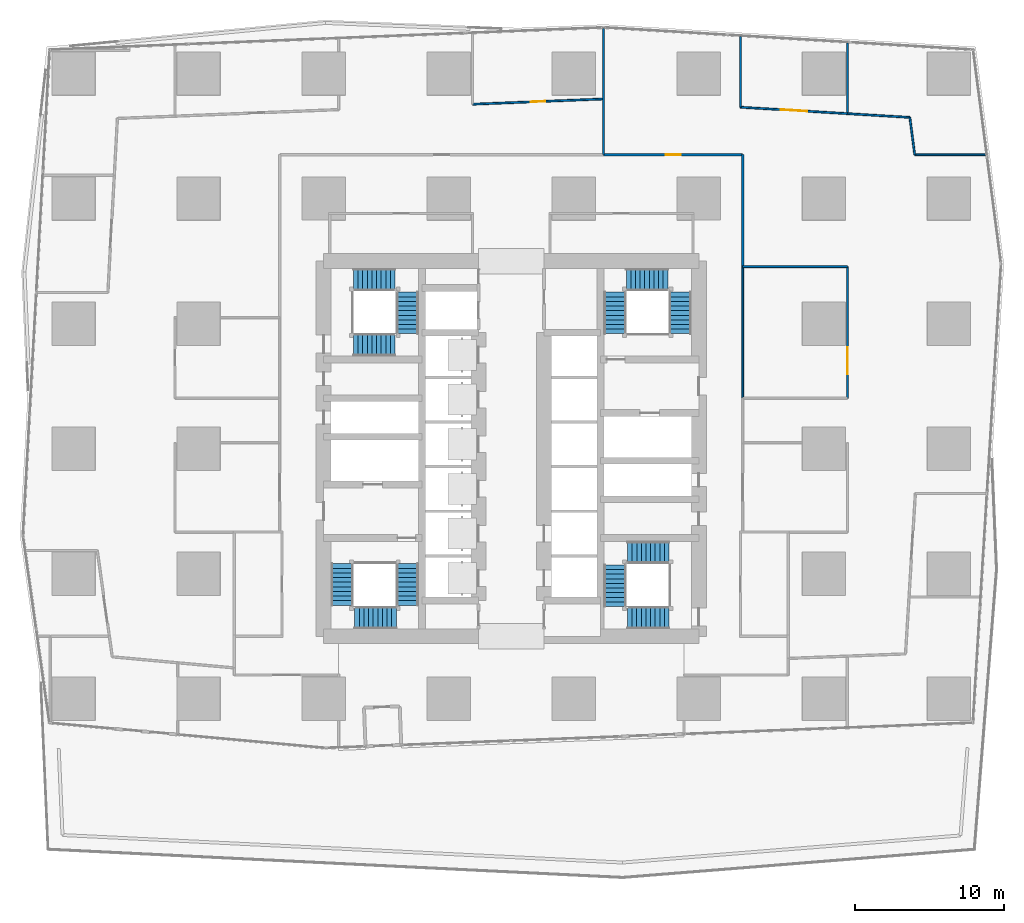
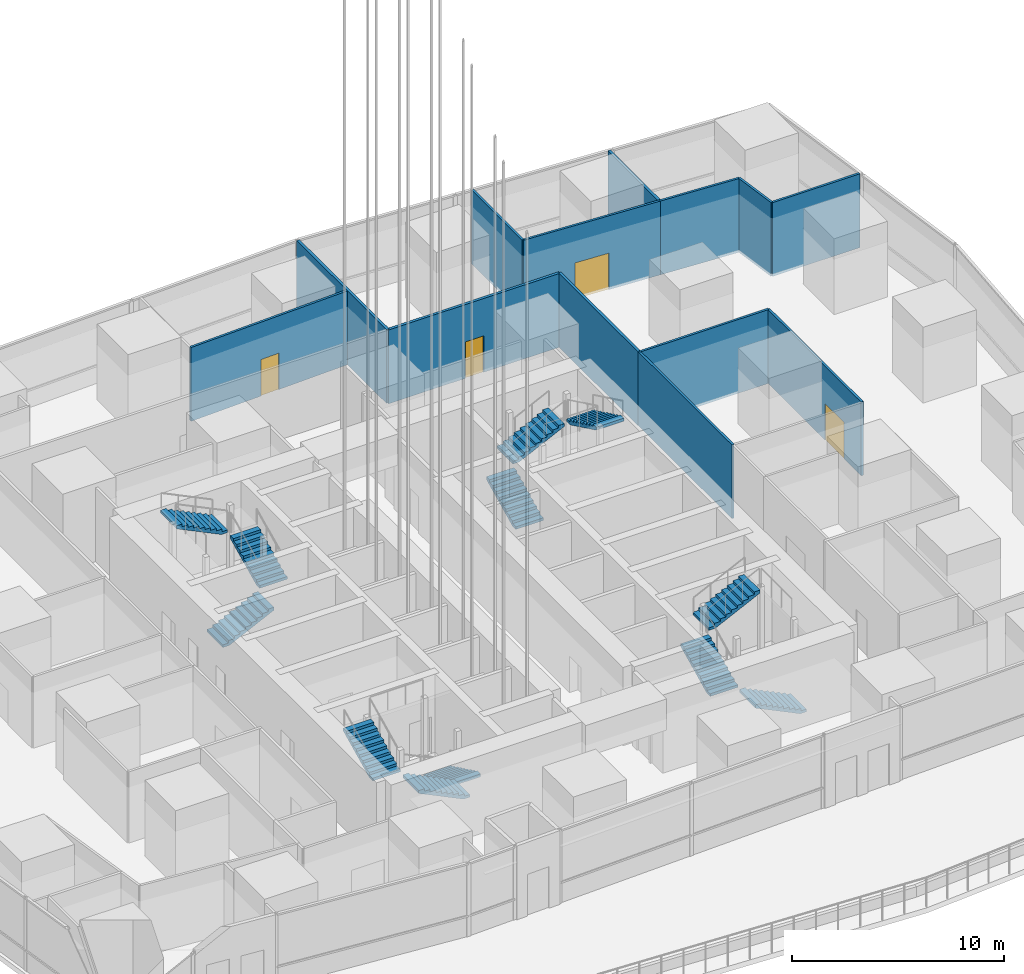
# One storey, part 22 of 44: 13 walls, 12 stair flights, 4 doors, 4 openings, 4 elements without a shape of their own.
"""IFC4 building model written with IfcOpenShell, lengths in metres."""

import ifcopenshell
import ifcopenshell.guid

model = None  # the IFC model being written
_history = None  # IfcOwnerHistory: only IFC2X3 demands one
_inside = {}  # id of a spatial element -> (the spatial element, [elements in it])
_under = {}  # id of a project, library or spatial element -> (it, [spatial elements below it])
_declared = {}  # id of a project -> (the project, [libraries it declares])
_typed = {}  # id of a type object -> (the type object, [elements of that type])
_made_of = {}  # id of a material, layer set ... -> (it, [elements and type objects made of it])


def new_model(schema):
    """Start an empty IFC model of exactly this schema.

    Asked for "IFC4X3", IfcOpenShell would pick the latest addendum, in which some entities
    have other attributes; the version numbers below select the first issue.
    IFC2X3 requires an IfcOwnerHistory on every rooted entity: one is made here for all.
    """
    global model, _history
    if schema == "IFC4X3":
        model = ifcopenshell.file(schema_version=(4, 3, 0, 0))
    else:
        model = ifcopenshell.file(schema=schema)
    _inside.clear()
    _under.clear()
    _declared.clear()
    _typed.clear()
    _made_of.clear()
    _history = None
    if model.schema == "IFC2X3":
        org = make("IfcOrganization", Name="unknown")
        user = make(
            "IfcPersonAndOrganization",
            ThePerson=make("IfcPerson", FamilyName="unknown"),
            TheOrganization=org,
        )
        app = make(
            "IfcApplication",
            ApplicationDeveloper=org,
            Version="unknown",
            ApplicationFullName="unknown",
            ApplicationIdentifier="unknown",
        )
        _history = make(
            "IfcOwnerHistory",
            OwningUser=user,
            OwningApplication=app,
            ChangeAction="ADDED",
            CreationDate=0,
        )
    return model


def make(cls, **values):
    """One entity of the class cls with the attributes given. An attribute that is None is left unset."""
    return model.create_entity(
        cls, **{name: value for name, value in values.items() if value is not None}
    )


def rooted(cls, **values):
    """An entity with a GlobalId (a new one), such as an element, a storey or a relation."""
    return make(cls, GlobalId=ifcopenshell.guid.new(), OwnerHistory=_history, **values)


def si_unit(unit_type, name, prefix=None):
    """IfcSIUnit, for example si_unit("LENGTHUNIT", "METRE", prefix="MILLI")."""
    return make("IfcSIUnit", UnitType=unit_type, Prefix=prefix, Name=name)


def assignment(units):
    """IfcUnitAssignment: the units of a project."""
    return None if units is None else make("IfcUnitAssignment", Units=units)


def point(xyz):
    """IfcCartesianPoint."""
    return None if xyz is None else make("IfcCartesianPoint", Coordinates=xyz)


def direction(xyz):
    """IfcDirection."""
    return None if xyz is None else make("IfcDirection", DirectionRatios=xyz)


def frame(location, z_axis=None, x_axis=None):
    """IfcAxis2Placement3D, a coordinate frame: its origin and axes. An axis left out is left unset."""
    return make(
        "IfcAxis2Placement3D",
        Location=point(location),
        Axis=direction(z_axis),
        RefDirection=direction(x_axis),
    )


def frame_2d(location, x_axis=None):
    """IfcAxis2Placement2D, a coordinate frame in the plane: its origin and x axis."""
    return make(
        "IfcAxis2Placement2D", Location=point(location), RefDirection=direction(x_axis)
    )


def origin():
    """The frame at (0, 0, 0) with its axes left unset."""
    return frame((0.0, 0.0, 0.0))


def place(relative_to, where):
    """IfcLocalPlacement: puts the frame where relative to a parent placement (None: the world)."""
    return make(
        "IfcLocalPlacement", PlacementRelTo=relative_to, RelativePlacement=where
    )


def context(
    kind, dimensions, precision=None, world=None, true_north=None, identifier=None
):
    """IfcGeometricRepresentationContext, for example the 3D "Model" context."""
    return make(
        "IfcGeometricRepresentationContext",
        ContextIdentifier=identifier,
        ContextType=kind,
        CoordinateSpaceDimension=dimensions,
        Precision=precision,
        WorldCoordinateSystem=world,
        TrueNorth=true_north,
    )


def subcontext(parent, identifier, kind, view, scale=None):
    """IfcGeometricRepresentationSubContext, for example "Body" below "Model"."""
    return make(
        "IfcGeometricRepresentationSubContext",
        ContextIdentifier=identifier,
        ContextType=kind,
        ParentContext=parent,
        TargetScale=scale,
        TargetView=view,
    )


def project(units=None, contexts=None):
    """IfcProject with its units and contexts."""
    return rooted(
        "IfcProject",
        Name="project",
        RepresentationContexts=contexts,
        UnitsInContext=assignment(units),
    )


def spatial(cls, under=None, at=None, **own):
    """A site, building, storey or space (cls), placed at a placement, below another one or the project."""
    s = rooted(cls, ObjectPlacement=at, **own)
    if under is not None:
        _under.setdefault(under.id(), (under, []))[1].append(s)
    return s


def polyline(points):
    """IfcPolyline through the points."""
    return make("IfcPolyline", Points=[point(p) for p in points])


def profile(cls, at=None, kind="AREA", **sizes):
    """A parametric profile (cls). Its sizes go by their IFC names, for example OverallWidth=200.0."""
    return make(cls, ProfileType=kind, Position=at, **sizes)


def rectangle(**sizes):
    """IfcRectangleProfileDef."""
    return profile("IfcRectangleProfileDef", **sizes)


def outline(outer, holes=None, kind="AREA"):
    """IfcArbitraryClosedProfileDef: a profile drawn as a closed curve; with holes, ...WithVoids."""
    if holes is None:
        return make("IfcArbitraryClosedProfileDef", ProfileType=kind, OuterCurve=outer)
    return make(
        "IfcArbitraryProfileDefWithVoids",
        ProfileType=kind,
        OuterCurve=outer,
        InnerCurves=holes,
    )


def extrude(swept, where, along, depth):
    """IfcExtrudedAreaSolid: the profile swept, set in the frame where, extruded along a direction by depth."""
    return make(
        "IfcExtrudedAreaSolid",
        SweptArea=swept,
        Position=where,
        ExtrudedDirection=direction(along),
        Depth=depth,
    )


def shape(context_of_items, identifier, shape_type, items):
    """IfcShapeRepresentation: the items that make up one representation, for example the "Body"."""
    return make(
        "IfcShapeRepresentation",
        ContextOfItems=context_of_items,
        RepresentationIdentifier=identifier,
        RepresentationType=shape_type,
        Items=items,
    )


def material(Name=None, Category=None):
    """IfcMaterial."""
    return make("IfcMaterial", Name=Name, Category=Category)


def layer(
    of_material, thickness, ventilated=None, Name=None, Category=None, Priority=None
):
    """IfcMaterialLayer: one layer of a wall or slab, of a material (None: an air gap)."""
    return make(
        "IfcMaterialLayer",
        Material=of_material,
        LayerThickness=thickness,
        IsVentilated=ventilated,
        Name=Name,
        Category=Category,
        Priority=Priority,
    )


def layer_set(layers, Name=None):
    """IfcMaterialLayerSet."""
    return make("IfcMaterialLayerSet", MaterialLayers=layers, LayerSetName=Name)


def made_of(thing, what):
    """Note that an element or type object is made of a material, layer set ...; save() writes the relation."""
    if what is not None:
        _made_of.setdefault(what.id(), (what, []))[1].append(thing)
    return thing


def type_object(cls, material=None, **own):
    """A type object (cls), such as IfcWallType, which elements share."""
    return made_of(rooted(cls, **own), material)


def element(
    cls,
    number,
    at=None,
    inside=None,
    cuts=None,
    type_object=None,
    material=None,
    context=None,
    identifier="Body",
    shape_type=None,
    held_by="IfcProductDefinitionShape",
    body=None,
    shapes=None,
    **own,
):
    """One element of the class cls, such as IfcWall. Its Tag is "e" and its number.

    at: its placement. inside: the storey or other place that contains it. cuts: it is an
    opening in that element (IfcRelVoidsElement). A single representation is given by context,
    identifier, shape_type and body (its items); several are given by shapes. held_by: the class
    of the entity that holds the representations. save() writes the other relations.
    """
    e = rooted(cls, Tag="e%d" % number, ObjectPlacement=at, **own)
    if body is not None:
        shapes = [shape(context, identifier, shape_type, body)]
    if shapes is not None:
        e.Representation = make(held_by, Representations=shapes)
    if inside is not None:
        _inside.setdefault(inside.id(), (inside, []))[1].append(e)
    if cuts is not None:
        rooted(
            "IfcRelVoidsElement", RelatingBuildingElement=cuts, RelatedOpeningElement=e
        )
    if type_object is not None:
        _typed.setdefault(type_object.id(), (type_object, []))[1].append(e)
    return made_of(e, material)


def fill(opening, filler):
    """IfcRelFillsElement: the door or window that sits in an opening."""
    return rooted(
        "IfcRelFillsElement",
        RelatingOpeningElement=opening,
        RelatedBuildingElement=filler,
    )


def aggregate(whole, parts):
    """IfcRelAggregates: a whole, such as a stair, and the parts it consists of."""
    return rooted("IfcRelAggregates", RelatingObject=whole, RelatedObjects=parts)


def save(model, path):
    """Write the relations noted so far, then the file.

    IfcRelAggregates (storeys below a building ...), IfcRelContainedInSpatialStructure (elements
    in a storey), IfcRelDefinesByType, IfcRelAssociatesMaterial and IfcRelDeclares: one each for
    every whole, place, type object, material and project.
    """
    for whole, parts in _under.values():
        aggregate(whole, parts)
    for where, things in _inside.values():
        rooted(
            "IfcRelContainedInSpatialStructure",
            RelatedElements=things,
            RelatingStructure=where,
        )
    for kind, things in _typed.values():
        rooted("IfcRelDefinesByType", RelatedObjects=things, RelatingType=kind)
    for what, things in _made_of.values():
        rooted("IfcRelAssociatesMaterial", RelatedObjects=things, RelatingMaterial=what)
    for by, libraries in _declared.values():
        rooted("IfcRelDeclares", RelatingContext=by, RelatedDefinitions=libraries)
    model.write(path)


model = new_model("IFC4")

# Units and contexts
model_context = context("Model", 3, precision=1e-05, world=origin(), true_north=direction((0.0, 1.0)))
body_context = subcontext(model_context, "Body", "Model", "MODEL_VIEW")
ifc_project = project(units=[si_unit("LENGTHUNIT", "METRE"), si_unit("AREAUNIT", "SQUARE_METRE"), si_unit("VOLUMEUNIT", "CUBIC_METRE"), si_unit("PLANEANGLEUNIT", "RADIAN"), si_unit("MASSUNIT", "GRAM", prefix="KILO")], contexts=[model_context])

# Site, building, storey
site_placement = place(None, origin())
site = spatial("IfcSite", under=ifc_project, at=site_placement, CompositionType="ELEMENT")
building_placement = place(site_placement, origin())
building = spatial("IfcBuilding", under=site, at=building_placement, Name="Rekha Terrace Tower", CompositionType="ELEMENT")
storey_placement = place(building_placement, frame((0.0, 0.0, 90.800048828125)))
storey = spatial("IfcBuildingStorey", under=building, at=storey_placement, Name="L22", CompositionType="ELEMENT", Elevation=90.800048828125)

# Wall
ifc_material_1 = material(Name="Concrete block masonry, 1 hour", Category="masonry")
ifc_layer_1 = layer(ifc_material_1, 0.14990234375)
ifc_layer_set_1 = layer_set([ifc_layer_1], Name="Concrete block masonry, 1 hour")
wall_type_1 = type_object("IfcWallType", Name="WP2 150 tenancy partition", PredefinedType="PARTITIONING", material=ifc_layer_set_1)
wall_1_placement = place(storey_placement, frame((53.35009765625, 45.8359375, 0.0), z_axis=(0.0, 0.0, 1.0), x_axis=(0.0, 1.0, 0.0)))
element("IfcWall", 1, at=wall_1_placement, inside=storey, type_object=wall_type_1, Name="Partition L22-O1", PredefinedType="PARTITIONING", context=body_context, shape_type="SweptSolid", body=[
    extrude(rectangle(XDim=7.51416015625, YDim=0.14990234375, at=frame_2d((3.757080078125, 0.0))), origin(), (0.0, 0.0, 1.0), 4.25),
])

# Wall, opening, door
wall_2_placement = place(storey_placement, frame((53.35009765625, 53.35009765625, 0.0), z_axis=(0.0, 0.0, 1.0), x_axis=(-1.0, 0.0, 0.0)))
wall_2 = element("IfcWall", 2, at=wall_2_placement, inside=storey, type_object=wall_type_1, Name="Partition L22-O1", PredefinedType="PARTITIONING", context=body_context, shape_type="SweptSolid", body=[
    extrude(rectangle(XDim=9.356201171875, YDim=0.14990234375, at=frame_2d((4.67822265625, 0.0))), origin(), (0.0, 0.0, 1.0), 4.25),
])
opening_1_placement = place(wall_2_placement, frame((4.177978515625, 0.0, 0.0)))
opening_1 = element("IfcOpeningElement", 3, at=opening_1_placement, cuts=wall_2, Name="Opening D9", PredefinedType="OPENING", context=body_context, shape_type="SweptSolid", body=[
    extrude(rectangle(XDim=1.0, YDim=2.10009765625, at=frame_2d((0.5, 1.050048828125))), frame((0.0, 0.0849609375, 0.0), z_axis=(0.0, -1.0, 0.0), x_axis=(1.0, 0.0, 0.0)), (0.0, 0.0, 1.0), 0.169921875),
])
ifc_material_2 = material(Name="Timber fire door", Category="wood")
door_type_1 = type_object("IfcDoorType", Name="D9 1000x2100 office door", OperationType="SINGLE_SWING_LEFT", PredefinedType="DOOR", material=ifc_material_2)
door_1_placement = place(opening_1_placement, origin())
door_1 = element("IfcDoor", 4, at=door_1_placement, inside=storey, type_object=door_type_1, Name="Door open-plan office L22", OperationType="SINGLE_SWING_LEFT", OverallHeight=2.10009765625, OverallWidth=1.0, PredefinedType="DOOR", context=body_context, shape_type="SweptSolid", body=[
    extrude(rectangle(XDim=1.0, YDim=2.10009765625, at=frame_2d((0.5, 1.050048828125))), frame((0.0, 0.02490234375, 0.0), z_axis=(0.0, -1.0, 0.0), x_axis=(1.0, 0.0, 0.0)), (0.0, 0.0, 1.0), 0.050048828125),
])
fill(opening_1, door_1)

# Walls
wall_3_placement = place(storey_placement, frame((43.993896484375, 53.35009765625, 0.0), z_axis=(0.0, 0.0, 1.0), x_axis=(0.0, 1.0, 0.0)))
element("IfcWall", 5, at=wall_3_placement, inside=storey, type_object=wall_type_1, Name="Partition L22-O1", PredefinedType="PARTITIONING", context=body_context, shape_type="SweptSolid", body=[
    extrude(rectangle(XDim=8.468017578125, YDim=0.14990234375, at=frame_2d((4.23388671875, 0.0))), origin(), (0.0, 0.0, 1.0), 4.25),
])
wall_4_placement = place(storey_placement, frame((60.385009765625, 56.172119140625, 0.0), z_axis=(0.0, 0.0, 1.0), x_axis=(0.0, 1.0, 0.0)))
element("IfcWall", 6, at=wall_4_placement, inside=storey, type_object=wall_type_1, Name="Partition L22-O1", PredefinedType="PARTITIONING", context=body_context, shape_type="SweptSolid", body=[
    extrude(rectangle(XDim=4.69482421875, YDim=0.14990234375, at=frame_2d((2.347412109375, 0.0))), origin(), (0.0, 0.0, 1.0), 4.25),
])
ifc_material_3 = material(Name="Two layers of fire-rated gypsum board each side on steel studs, acoustic quilt, 1 hour", Category="steel")
ifc_layer_2 = layer(ifc_material_3, 0.125)
ifc_layer_set_2 = layer_set([ifc_layer_2], Name="Two layers of fire-rated gypsum board each side on steel studs, acoustic quilt, 1 hour")
wall_type_2 = type_object("IfcWallType", Name="WP3 125 office partition", PredefinedType="PARTITIONING", material=ifc_layer_set_2)
wall_5_placement = place(storey_placement, frame((69.662109375, 53.347900390625, 0.0), z_axis=(0.0, 0.0, 1.0), x_axis=(-1.0, 0.0, 0.0)))
element("IfcWall", 7, at=wall_5_placement, inside=storey, type_object=wall_type_2, Name="Partition L22-06", PredefinedType="PARTITIONING", context=body_context, shape_type="SweptSolid", body=[
    extrude(rectangle(XDim=4.760009765625, YDim=0.125, at=frame_2d((2.3798828125, 0.0))), origin(), (0.0, 0.0, 1.0), 4.25),
])
wall_6_placement = place(storey_placement, frame((64.902099609375, 53.347900390625, 0.0), z_axis=(0.0, 0.0, 1.0), x_axis=(-0.129293809503, 0.991606328552, 0.0)))
element("IfcWall", 8, at=wall_6_placement, inside=storey, type_object=wall_type_2, Name="Partition L22-06", PredefinedType="PARTITIONING", context=body_context, shape_type="SweptSolid", body=[
    extrude(rectangle(XDim=2.5302734375, YDim=0.125, at=frame_2d((1.26513671875, 0.0))), origin(), (0.0, 0.0, 1.0), 4.25),
])
wall_7_placement = place(storey_placement, frame((64.574951171875, 55.85693359375, 0.0), z_axis=(0.0, 0.0, 1.0), x_axis=(-0.998196070011, 0.060038369522, 0.0)))
element("IfcWall", 9, at=wall_7_placement, inside=storey, type_object=wall_type_2, Name="Partition L22-06", PredefinedType="PARTITIONING", context=body_context, shape_type="SweptSolid", body=[
    extrude(rectangle(XDim=4.196533203125, YDim=0.125, at=frame_2d((2.09814453125, 0.0))), origin(), (0.0, 0.0, 1.0), 4.25),
])

# Wall, opening, door
wall_8_placement = place(storey_placement, frame((60.385986328125, 56.10888671875, 0.0), z_axis=(0.0, 0.0, 1.0), x_axis=(-0.998198273085, 0.06000173006, 0.0)))
wall_8 = element("IfcWall", 10, at=wall_8_placement, inside=storey, type_object=wall_type_2, Name="Partition L22-06", PredefinedType="PARTITIONING", context=body_context, shape_type="SweptSolid", body=[
    extrude(rectangle(XDim=7.201904296875, YDim=0.125, at=frame_2d((3.60107421875, 0.0))), origin(), (0.0, 0.0, 1.0), 4.25),
])
opening_2_placement = place(wall_8_placement, frame((2.700927734375, 0.0, 0.0)))
opening_2 = element("IfcOpeningElement", 11, at=opening_2_placement, cuts=wall_8, Name="Opening D8", PredefinedType="OPENING", context=body_context, shape_type="SweptSolid", body=[
    extrude(rectangle(XDim=1.800048828125, YDim=2.10009765625, at=frame_2d((0.89990234375, 1.050048828125))), frame((0.0, 0.072509765625, 0.0), z_axis=(0.0, -1.0, 0.0), x_axis=(1.0, 0.0, 0.0)), (0.0, 0.0, 1.0), 0.14501953125),
])
door_type_2 = type_object("IfcDoorType", Name="D8 1800x2100 double leaf door", OperationType="DOUBLE_DOOR_SINGLE_SWING", PredefinedType="DOOR", material=ifc_material_2)
door_2_placement = place(opening_2_placement, origin())
door_2 = element("IfcDoor", 12, at=door_2_placement, inside=storey, type_object=door_type_2, Name="Door business lounge L22", OperationType="DOUBLE_DOOR_SINGLE_SWING", OverallHeight=2.10009765625, OverallWidth=1.800048828125, PredefinedType="DOOR", context=body_context, shape_type="SweptSolid", body=[
    extrude(rectangle(XDim=1.800048828125, YDim=2.10009765625, at=frame_2d((0.89990234375, 1.050048828125))), frame((0.0, 0.02490234375, 0.0), z_axis=(0.0, -1.0, 0.0), x_axis=(1.0, 0.0, 0.0)), (0.0, 0.0, 1.0), 0.050048828125),
])
fill(opening_2, door_2)

# Wall
wall_9_placement = place(storey_placement, frame((53.197021484375, 56.541015625, 0.0), z_axis=(0.0, 0.0, 1.0), x_axis=(0.0, 1.0, 0.0)))
element("IfcWall", 13, at=wall_9_placement, inside=storey, type_object=wall_type_2, Name="Partition L22-06", PredefinedType="PARTITIONING", context=body_context, shape_type="SweptSolid", body=[
    extrude(rectangle(XDim=4.758056640625, YDim=0.125, at=frame_2d((2.37890625, 0.0))), origin(), (0.0, 0.0, 1.0), 4.25),
])

# Wall, opening, door
wall_10_placement = place(storey_placement, frame((60.385986328125, 45.8359375, 0.0), z_axis=(0.0, 0.0, 1.0), x_axis=(0.0, -1.0, 0.0)))
wall_10 = element("IfcWall", 14, at=wall_10_placement, inside=storey, type_object=wall_type_2, Name="Partition L22-09", PredefinedType="PARTITIONING", context=body_context, shape_type="SweptSolid", body=[
    extrude(rectangle(XDim=8.8359375, YDim=0.125, at=frame_2d((4.41796875, 0.0))), origin(), (0.0, 0.0, 1.0), 4.25),
])
opening_3_placement = place(wall_10_placement, frame((5.41796875, 0.0, 0.0)))
opening_3 = element("IfcOpeningElement", 15, at=opening_3_placement, cuts=wall_10, Name="Opening D8", PredefinedType="OPENING", context=body_context, shape_type="SweptSolid", body=[
    extrude(rectangle(XDim=1.800048828125, YDim=2.10009765625, at=frame_2d((0.89990234375, 1.050048828125))), frame((0.0, 0.072509765625, 0.0), z_axis=(0.0, -1.0, 0.0), x_axis=(1.0, 0.0, 0.0)), (0.0, 0.0, 1.0), 0.14501953125),
])
door_3_placement = place(opening_3_placement, origin())
door_3 = element("IfcDoor", 16, at=door_3_placement, inside=storey, type_object=door_type_2, Name="Door breakout lounge L22", OperationType="DOUBLE_DOOR_SINGLE_SWING", OverallHeight=2.10009765625, OverallWidth=1.800048828125, PredefinedType="DOOR", context=body_context, shape_type="SweptSolid", body=[
    extrude(rectangle(XDim=1.800048828125, YDim=2.10009765625, at=frame_2d((0.89990234375, 1.050048828125))), frame((0.0, 0.02490234375, 0.0), z_axis=(0.0, -1.0, 0.0), x_axis=(1.0, 0.0, 0.0)), (0.0, 0.0, 1.0), 0.050048828125),
])
fill(opening_3, door_3)

# Walls
wall_11_placement = place(storey_placement, frame((53.35009765625, 37.0, 0.0), z_axis=(0.0, 0.0, 1.0), x_axis=(0.0, 1.0, 0.0)))
element("IfcWall", 17, at=wall_11_placement, inside=storey, type_object=wall_type_2, Name="Partition L22-09", PredefinedType="PARTITIONING", context=body_context, shape_type="SweptSolid", body=[
    extrude(rectangle(XDim=8.8359375, YDim=0.125, at=frame_2d((4.41796875, 0.0))), origin(), (0.0, 0.0, 1.0), 4.25),
])
wall_12_placement = place(storey_placement, frame((53.35009765625, 45.8359375, 0.0), z_axis=(0.0, 0.0, 1.0), x_axis=(1.0, 0.0, 0.0)))
element("IfcWall", 18, at=wall_12_placement, inside=storey, type_object=wall_type_2, Name="Partition L22-09", PredefinedType="PARTITIONING", context=body_context, shape_type="SweptSolid", body=[
    extrude(rectangle(XDim=7.035888671875, YDim=0.125, at=frame_2d((3.51806640625, 0.0))), origin(), (0.0, 0.0, 1.0), 4.25),
])

# Wall, opening, door
wall_13_placement = place(storey_placement, frame((43.9189453125, 57.091064453125, 0.0), z_axis=(0.0, 0.0, 1.0), x_axis=(-0.99919930418, -0.040009380477, 0.0)))
wall_13 = element("IfcWall", 19, at=wall_13_placement, inside=storey, type_object=wall_type_2, Name="Partition L22-10", PredefinedType="PARTITIONING", context=body_context, shape_type="SweptSolid", body=[
    extrude(rectangle(XDim=8.72607421875, YDim=0.125, at=frame_2d((4.363037109375, 0.0))), origin(), (0.0, 0.0, 1.0), 4.25),
])
opening_4_placement = place(wall_13_placement, frame((3.825927734375, 0.0, 0.0)))
opening_4 = element("IfcOpeningElement", 20, at=opening_4_placement, cuts=wall_13, Name="Opening D9", PredefinedType="OPENING", context=body_context, shape_type="SweptSolid", body=[
    extrude(rectangle(XDim=1.0, YDim=2.10009765625, at=frame_2d((0.5, 1.050048828125))), frame((0.0, 0.072509765625, 0.0), z_axis=(0.0, -1.0, 0.0), x_axis=(1.0, 0.0, 0.0)), (0.0, 0.0, 1.0), 0.14501953125),
])
door_4_placement = place(opening_4_placement, origin())
door_4 = element("IfcDoor", 21, at=door_4_placement, inside=storey, type_object=door_type_1, Name="Door office L22", OperationType="SINGLE_SWING_LEFT", OverallHeight=2.10009765625, OverallWidth=1.0, PredefinedType="DOOR", context=body_context, shape_type="SweptSolid", body=[
    extrude(rectangle(XDim=1.0, YDim=2.10009765625, at=frame_2d((0.5, 1.050048828125))), frame((0.0, 0.02490234375, 0.0), z_axis=(0.0, -1.0, 0.0), x_axis=(1.0, 0.0, 0.0)), (0.0, 0.0, 1.0), 0.050048828125),
])
fill(opening_4, door_4)

# Stair, stair flights
ifc_material_4 = material(Name="Concrete M40", Category="concrete")
stair_type = type_object("IfcStairType", Name="ST30 stair, 30 risers of 150, going 310, 1500 wide flights, 3 flights", PredefinedType="HALF_TURN_STAIR", material=ifc_material_4)
stair_1_placement = place(storey_placement, origin())
stair_1 = element("IfcStair", 22, at=stair_1_placement, inside=storey, type_object=stair_type, Name="Stair ST1 L22 to L23", PredefinedType="HALF_TURN_STAIR")
stair_flight_type = type_object("IfcStairFlightType", Name="SF10 stair flight, 10 risers of 150, going 310, 1500 wide", PredefinedType="STRAIGHT", material=ifc_material_4)
stair_flight_1_placement = place(storey_placement, frame((30.824951171875, 25.875, 0.0), z_axis=(0.0, 0.0, 1.0), x_axis=(0.0, -1.0, 0.0)))
stair_flight_1 = element("IfcStairFlight", 23, at=stair_flight_1_placement, type_object=stair_flight_type, Name="ST1 flight 1", NumberOfRisers=10, NumberOfTreads=9, PredefinedType="STRAIGHT", RiserHeight=0.15, TreadLength=0.31, context=body_context, shape_type="SweptSolid", body=[
    extrude(outline(polyline([(0.0, 0.0), (0.0, 0.14990234375), (0.31005859375, 0.14990234375), (0.31005859375, 0.300048828125), (0.6201171875, 0.300048828125), (0.6201171875, 0.449951171875), (0.929931640625, 0.449951171875), (0.929931640625, 0.60009765625), (1.239990234375, 0.60009765625), (1.239990234375, 0.75), (1.550048828125, 0.75), (1.550048828125, 0.89990234375), (1.860107421875, 0.89990234375), (1.860107421875, 1.050048828125), (2.169921875, 1.050048828125), (2.169921875, 1.199951171875), (2.47998046875, 1.199951171875), (2.47998046875, 1.35009765625), (2.7900390625, 1.35009765625), (2.7900390625, 1.5), (2.7900390625, 1.183349609375), (0.34423828125, 0.0), (0.0, 0.0)])), frame((0.0, 0.75, 0.0), z_axis=(0.0, -1.0, 0.0), x_axis=(1.0, 0.0, 0.0)), (0.0, 0.0, 1.0), 1.5),
])
stair_flight_2_placement = place(storey_placement, frame((30.074951171875, 22.25, 1.5), z_axis=(0.0, 0.0, 1.0), x_axis=(-1.0, 0.0, 0.0)))
stair_flight_2 = element("IfcStairFlight", 24, at=stair_flight_2_placement, type_object=stair_flight_type, Name="ST1 flight 2", NumberOfRisers=10, NumberOfTreads=9, PredefinedType="STRAIGHT", RiserHeight=0.15, TreadLength=0.31, context=body_context, shape_type="SweptSolid", body=[
    extrude(outline(polyline([(0.0, 0.0), (0.0, 0.14990234375), (0.31005859375, 0.14990234375), (0.31005859375, 0.300048828125), (0.6201171875, 0.300048828125), (0.6201171875, 0.449951171875), (0.929931640625, 0.449951171875), (0.929931640625, 0.60009765625), (1.239990234375, 0.60009765625), (1.239990234375, 0.75), (1.550048828125, 0.75), (1.550048828125, 0.89990234375), (1.860107421875, 0.89990234375), (1.860107421875, 1.050048828125), (2.169921875, 1.050048828125), (2.169921875, 1.199951171875), (2.47998046875, 1.199951171875), (2.47998046875, 1.35009765625), (2.7900390625, 1.35009765625), (2.7900390625, 1.5), (2.7900390625, 1.183349609375), (0.34423828125, 0.0), (0.0, 0.0)])), frame((0.0, 0.75, 0.0), z_axis=(0.0, -1.0, 0.0), x_axis=(1.0, 0.0, 0.0)), (0.0, 0.0, 1.0), 1.5),
])
stair_flight_3_placement = place(storey_placement, frame((26.449951171875, 23.0849609375, 3.0), z_axis=(0.0, 0.0, 1.0), x_axis=(0.0, 1.0, 0.0)))
stair_flight_3 = element("IfcStairFlight", 25, at=stair_flight_3_placement, type_object=stair_flight_type, Name="ST1 flight 3", NumberOfRisers=10, NumberOfTreads=9, PredefinedType="STRAIGHT", RiserHeight=0.15, TreadLength=0.31, context=body_context, shape_type="SweptSolid", body=[
    extrude(outline(polyline([(0.0, 0.0), (0.0, 0.14990234375), (0.31005859375, 0.14990234375), (0.31005859375, 0.300048828125), (0.6201171875, 0.300048828125), (0.6201171875, 0.449951171875), (0.929931640625, 0.449951171875), (0.929931640625, 0.60009765625), (1.239990234375, 0.60009765625), (1.239990234375, 0.75), (1.550048828125, 0.75), (1.550048828125, 0.89990234375), (1.860107421875, 0.89990234375), (1.860107421875, 1.050048828125), (2.169921875, 1.050048828125), (2.169921875, 1.199951171875), (2.47998046875, 1.199951171875), (2.47998046875, 1.35009765625), (2.7900390625, 1.35009765625), (2.7900390625, 1.5), (2.7900390625, 1.183349609375), (0.34423828125, 0.0), (0.0, 0.0)])), frame((0.0, 0.75, 0.0), z_axis=(0.0, -1.0, 0.0), x_axis=(1.0, 0.0, 0.0)), (0.0, 0.0, 1.0), 1.5),
])
aggregate(stair_1, [stair_flight_1, stair_flight_2, stair_flight_3])

stair_2_placement = place(storey_placement, origin())
stair_2 = element("IfcStair", 26, at=stair_2_placement, inside=storey, type_object=stair_type, Name="Stair ST2 L22 to L23", PredefinedType="HALF_TURN_STAIR")
stair_flight_4_placement = place(storey_placement, frame((44.77490234375, 41.324951171875, 0.0), z_axis=(0.0, 0.0, 1.0), x_axis=(0.0, 1.0, 0.0)))
stair_flight_4 = element("IfcStairFlight", 27, at=stair_flight_4_placement, type_object=stair_flight_type, Name="ST2 flight 1", NumberOfRisers=10, NumberOfTreads=9, PredefinedType="STRAIGHT", RiserHeight=0.15, TreadLength=0.31, context=body_context, shape_type="SweptSolid", body=[
    extrude(outline(polyline([(0.0, 0.0), (0.0, 0.14990234375), (0.31005859375, 0.14990234375), (0.31005859375, 0.300048828125), (0.6201171875, 0.300048828125), (0.6201171875, 0.449951171875), (0.929931640625, 0.449951171875), (0.929931640625, 0.60009765625), (1.239990234375, 0.60009765625), (1.239990234375, 0.75), (1.550048828125, 0.75), (1.550048828125, 0.89990234375), (1.860107421875, 0.89990234375), (1.860107421875, 1.050048828125), (2.169921875, 1.050048828125), (2.169921875, 1.199951171875), (2.47998046875, 1.199951171875), (2.47998046875, 1.35009765625), (2.7900390625, 1.35009765625), (2.7900390625, 1.5), (2.7900390625, 1.183349609375), (0.34423828125, 0.0), (0.0, 0.0)])), frame((0.0, 0.75, 0.0), z_axis=(0.0, -1.0, 0.0), x_axis=(1.0, 0.0, 0.0)), (0.0, 0.0, 1.0), 1.5),
])
stair_flight_5_placement = place(storey_placement, frame((45.52490234375, 44.949951171875, 1.5), z_axis=(0.0, 0.0, 1.0), x_axis=(1.0, 0.0, 0.0)))
stair_flight_5 = element("IfcStairFlight", 28, at=stair_flight_5_placement, type_object=stair_flight_type, Name="ST2 flight 2", NumberOfRisers=10, NumberOfTreads=9, PredefinedType="STRAIGHT", RiserHeight=0.15, TreadLength=0.31, context=body_context, shape_type="SweptSolid", body=[
    extrude(outline(polyline([(0.0, 0.0), (0.0, 0.14990234375), (0.31005859375, 0.14990234375), (0.31005859375, 0.300048828125), (0.6201171875, 0.300048828125), (0.6201171875, 0.449951171875), (0.929931640625, 0.449951171875), (0.929931640625, 0.60009765625), (1.239990234375, 0.60009765625), (1.239990234375, 0.75), (1.550048828125, 0.75), (1.550048828125, 0.89990234375), (1.860107421875, 0.89990234375), (1.860107421875, 1.050048828125), (2.169921875, 1.050048828125), (2.169921875, 1.199951171875), (2.47998046875, 1.199951171875), (2.47998046875, 1.35009765625), (2.7900390625, 1.35009765625), (2.7900390625, 1.5), (2.7900390625, 1.183349609375), (0.34423828125, 0.0), (0.0, 0.0)])), frame((0.0, 0.75, 0.0), z_axis=(0.0, -1.0, 0.0), x_axis=(1.0, 0.0, 0.0)), (0.0, 0.0, 1.0), 1.5),
])
stair_flight_6_placement = place(storey_placement, frame((49.14990234375, 44.114990234375, 3.0), z_axis=(0.0, 0.0, 1.0), x_axis=(0.0, -1.0, 0.0)))
stair_flight_6 = element("IfcStairFlight", 29, at=stair_flight_6_placement, type_object=stair_flight_type, Name="ST2 flight 3", NumberOfRisers=10, NumberOfTreads=9, PredefinedType="STRAIGHT", RiserHeight=0.15, TreadLength=0.31, context=body_context, shape_type="SweptSolid", body=[
    extrude(outline(polyline([(0.0, 0.0), (0.0, 0.14990234375), (0.31005859375, 0.14990234375), (0.31005859375, 0.300048828125), (0.6201171875, 0.300048828125), (0.6201171875, 0.449951171875), (0.929931640625, 0.449951171875), (0.929931640625, 0.60009765625), (1.239990234375, 0.60009765625), (1.239990234375, 0.75), (1.550048828125, 0.75), (1.550048828125, 0.89990234375), (1.860107421875, 0.89990234375), (1.860107421875, 1.050048828125), (2.169921875, 1.050048828125), (2.169921875, 1.199951171875), (2.47998046875, 1.199951171875), (2.47998046875, 1.35009765625), (2.7900390625, 1.35009765625), (2.7900390625, 1.5), (2.7900390625, 1.183349609375), (0.34423828125, 0.0), (0.0, 0.0)])), frame((0.0, 0.75, 0.0), z_axis=(0.0, -1.0, 0.0), x_axis=(1.0, 0.0, 0.0)), (0.0, 0.0, 1.0), 1.5),
])
aggregate(stair_2, [stair_flight_4, stair_flight_5, stair_flight_6])

stair_3_placement = place(storey_placement, origin())
stair_3 = element("IfcStair", 30, at=stair_3_placement, inside=storey, type_object=stair_type, Name="Stair ST3 L22 to L23", PredefinedType="HALF_TURN_STAIR")
stair_flight_7_placement = place(storey_placement, frame((48.39990234375, 22.25, 0.0), z_axis=(0.0, 0.0, 1.0), x_axis=(-1.0, 0.0, 0.0)))
stair_flight_7 = element("IfcStairFlight", 31, at=stair_flight_7_placement, type_object=stair_flight_type, Name="ST3 flight 1", NumberOfRisers=10, NumberOfTreads=9, PredefinedType="STRAIGHT", RiserHeight=0.15, TreadLength=0.31, context=body_context, shape_type="SweptSolid", body=[
    extrude(outline(polyline([(0.0, 0.0), (0.0, 0.14990234375), (0.31005859375, 0.14990234375), (0.31005859375, 0.300048828125), (0.6201171875, 0.300048828125), (0.6201171875, 0.449951171875), (0.929931640625, 0.449951171875), (0.929931640625, 0.60009765625), (1.239990234375, 0.60009765625), (1.239990234375, 0.75), (1.550048828125, 0.75), (1.550048828125, 0.89990234375), (1.860107421875, 0.89990234375), (1.860107421875, 1.050048828125), (2.169921875, 1.050048828125), (2.169921875, 1.199951171875), (2.47998046875, 1.199951171875), (2.47998046875, 1.35009765625), (2.7900390625, 1.35009765625), (2.7900390625, 1.5), (2.7900390625, 1.183349609375), (0.34423828125, 0.0), (0.0, 0.0)])), frame((0.0, 0.75, 0.0), z_axis=(0.0, -1.0, 0.0), x_axis=(1.0, 0.0, 0.0)), (0.0, 0.0, 1.0), 1.5),
])
stair_flight_8_placement = place(storey_placement, frame((44.77490234375, 23.0, 1.5), z_axis=(0.0, 0.0, 1.0), x_axis=(0.0, 1.0, 0.0)))
stair_flight_8 = element("IfcStairFlight", 32, at=stair_flight_8_placement, type_object=stair_flight_type, Name="ST3 flight 2", NumberOfRisers=10, NumberOfTreads=9, PredefinedType="STRAIGHT", RiserHeight=0.15, TreadLength=0.31, context=body_context, shape_type="SweptSolid", body=[
    extrude(outline(polyline([(0.0, 0.0), (0.0, 0.14990234375), (0.31005859375, 0.14990234375), (0.31005859375, 0.300048828125), (0.6201171875, 0.300048828125), (0.6201171875, 0.449951171875), (0.929931640625, 0.449951171875), (0.929931640625, 0.60009765625), (1.239990234375, 0.60009765625), (1.239990234375, 0.75), (1.550048828125, 0.75), (1.550048828125, 0.89990234375), (1.860107421875, 0.89990234375), (1.860107421875, 1.050048828125), (2.169921875, 1.050048828125), (2.169921875, 1.199951171875), (2.47998046875, 1.199951171875), (2.47998046875, 1.35009765625), (2.7900390625, 1.35009765625), (2.7900390625, 1.5), (2.7900390625, 1.183349609375), (0.34423828125, 0.0), (0.0, 0.0)])), frame((0.0, 0.75, 0.0), z_axis=(0.0, -1.0, 0.0), x_axis=(1.0, 0.0, 0.0)), (0.0, 0.0, 1.0), 1.5),
])
stair_flight_9_placement = place(storey_placement, frame((45.610107421875, 26.625, 3.0), z_axis=(0.0, 0.0, 1.0), x_axis=(1.0, 0.0, 0.0)))
stair_flight_9 = element("IfcStairFlight", 33, at=stair_flight_9_placement, type_object=stair_flight_type, Name="ST3 flight 3", NumberOfRisers=10, NumberOfTreads=9, PredefinedType="STRAIGHT", RiserHeight=0.15, TreadLength=0.31, context=body_context, shape_type="SweptSolid", body=[
    extrude(outline(polyline([(0.0, 0.0), (0.0, 0.14990234375), (0.31005859375, 0.14990234375), (0.31005859375, 0.300048828125), (0.6201171875, 0.300048828125), (0.6201171875, 0.449951171875), (0.929931640625, 0.449951171875), (0.929931640625, 0.60009765625), (1.239990234375, 0.60009765625), (1.239990234375, 0.75), (1.550048828125, 0.75), (1.550048828125, 0.89990234375), (1.860107421875, 0.89990234375), (1.860107421875, 1.050048828125), (2.169921875, 1.050048828125), (2.169921875, 1.199951171875), (2.47998046875, 1.199951171875), (2.47998046875, 1.35009765625), (2.7900390625, 1.35009765625), (2.7900390625, 1.5), (2.7900390625, 1.183349609375), (0.34423828125, 0.0), (0.0, 0.0)])), frame((0.0, 0.75, 0.0), z_axis=(0.0, -1.0, 0.0), x_axis=(1.0, 0.0, 0.0)), (0.0, 0.0, 1.0), 1.5),
])
aggregate(stair_3, [stair_flight_7, stair_flight_8, stair_flight_9])

stair_4_placement = place(storey_placement, origin())
stair_4 = element("IfcStair", 34, at=stair_4_placement, inside=storey, type_object=stair_type, Name="Stair ST4 L22 to L23", PredefinedType="HALF_TURN_STAIR")
stair_flight_10_placement = place(storey_placement, frame((27.199951171875, 40.574951171875, 0.0), z_axis=(0.0, 0.0, 1.0), x_axis=(1.0, 0.0, 0.0)))
stair_flight_10 = element("IfcStairFlight", 35, at=stair_flight_10_placement, type_object=stair_flight_type, Name="ST4 flight 1", NumberOfRisers=10, NumberOfTreads=9, PredefinedType="STRAIGHT", RiserHeight=0.15, TreadLength=0.31, context=body_context, shape_type="SweptSolid", body=[
    extrude(outline(polyline([(0.0, 0.0), (0.0, 0.14990234375), (0.31005859375, 0.14990234375), (0.31005859375, 0.300048828125), (0.6201171875, 0.300048828125), (0.6201171875, 0.449951171875), (0.929931640625, 0.449951171875), (0.929931640625, 0.60009765625), (1.239990234375, 0.60009765625), (1.239990234375, 0.75), (1.550048828125, 0.75), (1.550048828125, 0.89990234375), (1.860107421875, 0.89990234375), (1.860107421875, 1.050048828125), (2.169921875, 1.050048828125), (2.169921875, 1.199951171875), (2.47998046875, 1.199951171875), (2.47998046875, 1.35009765625), (2.7900390625, 1.35009765625), (2.7900390625, 1.5), (2.7900390625, 1.183349609375), (0.34423828125, 0.0), (0.0, 0.0)])), frame((0.0, 0.75, 0.0), z_axis=(0.0, -1.0, 0.0), x_axis=(1.0, 0.0, 0.0)), (0.0, 0.0, 1.0), 1.5),
])
stair_flight_11_placement = place(storey_placement, frame((30.824951171875, 41.324951171875, 1.5), z_axis=(0.0, 0.0, 1.0), x_axis=(0.0, 1.0, 0.0)))
stair_flight_11 = element("IfcStairFlight", 36, at=stair_flight_11_placement, type_object=stair_flight_type, Name="ST4 flight 2", NumberOfRisers=10, NumberOfTreads=9, PredefinedType="STRAIGHT", RiserHeight=0.15, TreadLength=0.31, context=body_context, shape_type="SweptSolid", body=[
    extrude(outline(polyline([(0.0, 0.0), (0.0, 0.14990234375), (0.31005859375, 0.14990234375), (0.31005859375, 0.300048828125), (0.6201171875, 0.300048828125), (0.6201171875, 0.449951171875), (0.929931640625, 0.449951171875), (0.929931640625, 0.60009765625), (1.239990234375, 0.60009765625), (1.239990234375, 0.75), (1.550048828125, 0.75), (1.550048828125, 0.89990234375), (1.860107421875, 0.89990234375), (1.860107421875, 1.050048828125), (2.169921875, 1.050048828125), (2.169921875, 1.199951171875), (2.47998046875, 1.199951171875), (2.47998046875, 1.35009765625), (2.7900390625, 1.35009765625), (2.7900390625, 1.5), (2.7900390625, 1.183349609375), (0.34423828125, 0.0), (0.0, 0.0)])), frame((0.0, 0.75, 0.0), z_axis=(0.0, -1.0, 0.0), x_axis=(1.0, 0.0, 0.0)), (0.0, 0.0, 1.0), 1.5),
])
stair_flight_12_placement = place(storey_placement, frame((29.989990234375, 44.949951171875, 3.0), z_axis=(0.0, 0.0, 1.0), x_axis=(-1.0, 0.0, 0.0)))
stair_flight_12 = element("IfcStairFlight", 37, at=stair_flight_12_placement, type_object=stair_flight_type, Name="ST4 flight 3", NumberOfRisers=10, NumberOfTreads=9, PredefinedType="STRAIGHT", RiserHeight=0.15, TreadLength=0.31, context=body_context, shape_type="SweptSolid", body=[
    extrude(outline(polyline([(0.0, 0.0), (0.0, 0.14990234375), (0.31005859375, 0.14990234375), (0.31005859375, 0.300048828125), (0.6201171875, 0.300048828125), (0.6201171875, 0.449951171875), (0.929931640625, 0.449951171875), (0.929931640625, 0.60009765625), (1.239990234375, 0.60009765625), (1.239990234375, 0.75), (1.550048828125, 0.75), (1.550048828125, 0.89990234375), (1.860107421875, 0.89990234375), (1.860107421875, 1.050048828125), (2.169921875, 1.050048828125), (2.169921875, 1.199951171875), (2.47998046875, 1.199951171875), (2.47998046875, 1.35009765625), (2.7900390625, 1.35009765625), (2.7900390625, 1.5), (2.7900390625, 1.183349609375), (0.34423828125, 0.0), (0.0, 0.0)])), frame((0.0, 0.75, 0.0), z_axis=(0.0, -1.0, 0.0), x_axis=(1.0, 0.0, 0.0)), (0.0, 0.0, 1.0), 1.5),
])
aggregate(stair_4, [stair_flight_10, stair_flight_11, stair_flight_12])

save(model, "model.ifc")
